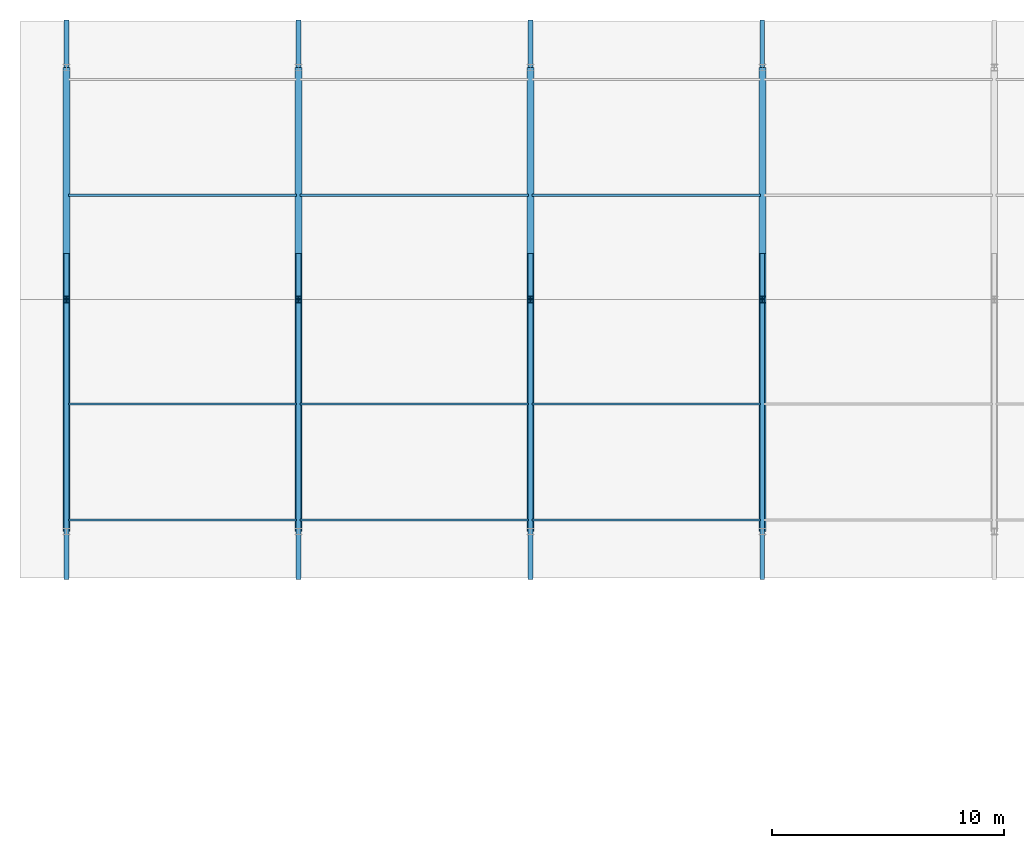
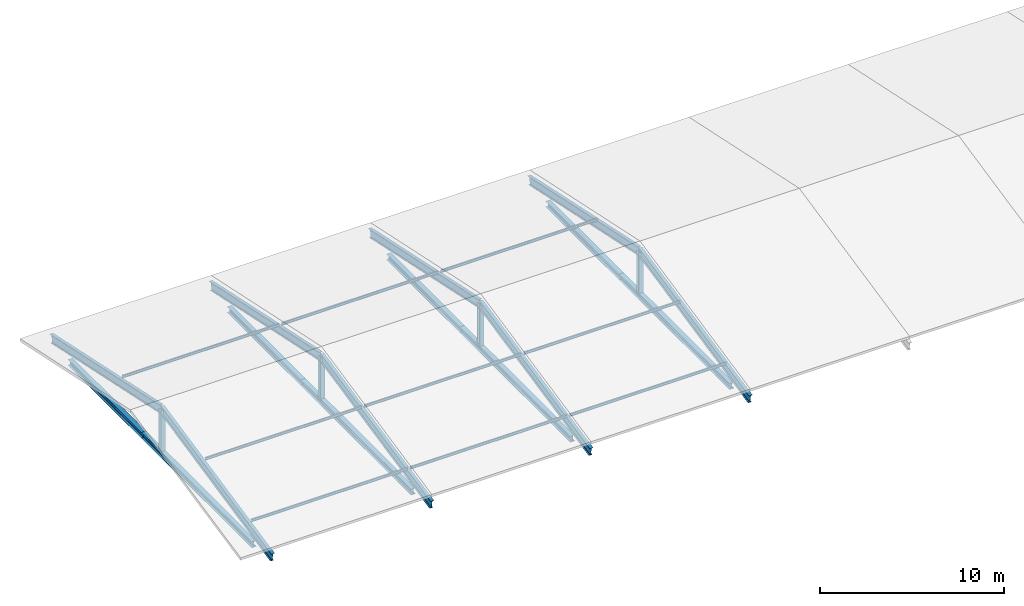
# One storey, part 1 of 10: 16 beams, 13 members.
"""IFC4 building model written with IfcOpenShell, lengths in metres."""

from ifc_helpers import new_model, si_unit, direction, frame, origin, origin_2d, place, context, subcontext, project, spatial, i_section, extrude, material, material_profile, profile_set, type_object, element, save


model = new_model("IFC4")

# Units and contexts
model_context = context("Model", 3, precision=1e-05, world=origin(), true_north=direction((0.0, 1.0)))
body_context = subcontext(model_context, "Body", "Model", "MODEL_VIEW")
ifc_project = project(units=[si_unit("LENGTHUNIT", "METRE"), si_unit("AREAUNIT", "SQUARE_METRE"), si_unit("VOLUMEUNIT", "CUBIC_METRE"), si_unit("PLANEANGLEUNIT", "RADIAN"), si_unit("MASSUNIT", "GRAM", prefix="KILO")], contexts=[model_context])

# Site, building, storey
site_placement = place(None, origin())
site = spatial("IfcSite", under=ifc_project, at=site_placement, CompositionType="ELEMENT")
building_placement = place(site_placement, origin())
building = spatial("IfcBuilding", under=site, at=building_placement, Name="Kivolera Central Railway Station", CompositionType="ELEMENT")
storey_placement = place(building_placement, frame((0.0, 0.0, 31.199951171875)))
storey = spatial("IfcBuildingStorey", under=building, at=storey_placement, Name="Roof", CompositionType="ELEMENT", Elevation=31.199951171875)

# Beams
ifc_material = material(Name="Steel S355", Category="steel")
ifc_material_profile_1 = material_profile(ifc_material, i_section(OverallWidth=0.2099609375, OverallDepth=0.550048828125, WebThickness=0.010986328125, FlangeThickness=0.01708984375, FilletRadius=0.02392578125, at=origin_2d()), Name="IPE 550")
ifc_profile_set_1 = profile_set([ifc_material_profile_1], Name="Steel S355")
beam_type_1 = type_object("IfcBeamType", Name="BM-ROOF-WNG", PredefinedType="BEAM", material=ifc_profile_set_1)
for number, where, z_axis, x_axis, name in (
    (1, (118.0, 112.0, 0.43798828125), (0.0, 0.97814185396, 0.207938725424), (-1.0, 0.0, 0.0), "Wing Monsoon Roof South Rafter 1"),
    (2, (118.0, 124.0, 2.989013671875), (0.0, 0.97814185396, -0.207938725424), (-1.0, 0.0, 0.0), "Wing Monsoon Roof North Rafter 1"),
    (3, (128.0, 112.0, 0.43798828125), (0.0, 0.97814185396, 0.207938725424), (-1.0, 0.0, 0.0), "Wing Monsoon Roof South Rafter 2"),
    (4, (128.0, 124.0, 2.989013671875), (0.0, 0.97814185396, -0.207938725424), (-1.0, 0.0, 0.0), "Wing Monsoon Roof North Rafter 2"),
    (5, (138.0, 112.0, 0.43798828125), (0.0, 0.97814185396, 0.207938725424), (-1.0, 0.0, 0.0), "Wing Monsoon Roof South Rafter 3"),
    (6, (138.0, 124.0, 2.989013671875), (0.0, 0.97814185396, -0.207938725424), (-1.0, 0.0, 0.0), "Wing Monsoon Roof North Rafter 3"),
    (7, (148.0, 112.0, 0.43798828125), (0.0, 0.97814185396, 0.207938725424), (-1.0, 0.0, 0.0), "Wing Monsoon Roof South Rafter 4"),
    (8, (148.0, 124.0, 2.989013671875), (0.0, 0.97814185396, -0.207938725424), (-1.0, 0.0, 0.0), "Wing Monsoon Roof North Rafter 4"),
):
    element("IfcBeam", number, at=place(storey_placement, frame(where, z_axis=z_axis, x_axis=x_axis)), inside=storey, type_object=beam_type_1, Name=name, PredefinedType="BEAM", context=body_context, shape_type="SweptSolid", body=[
        extrude(i_section(OverallWidth=0.2099609375, OverallDepth=0.550048828125, WebThickness=0.010986328125, FlangeThickness=0.01708984375, FilletRadius=0.02392578125, at=origin_2d()), origin(), (0.0, 0.0, 1.0), 12.26806640625),
    ])
ifc_material_profile_2 = material_profile(ifc_material, i_section(OverallWidth=0.300048828125, OverallDepth=0.389892578125, WebThickness=0.010986328125, FlangeThickness=0.01904296875, FilletRadius=0.027099609375, at=origin_2d()), Name="HEA 400")
ifc_profile_set_2 = profile_set([ifc_material_profile_2], Name="Steel S355")
beam_type_2 = type_object("IfcBeamType", Name="BM-SHD-HEA400", PredefinedType="BEAM", material=ifc_profile_set_2)
beam_1_placement = place(storey_placement, frame((118.0, 114.0, 0.090087890625), z_axis=(0.0, 1.0, 0.0), x_axis=(-1.0, 0.0, 0.0)))
element("IfcBeam", 9, at=beam_1_placement, inside=storey, type_object=beam_type_2, Name="Wing Monsoon Roof Tie Beam South 1", PredefinedType="BEAM", context=body_context, shape_type="SweptSolid", body=[
    extrude(i_section(OverallWidth=0.300048828125, OverallDepth=0.389892578125, WebThickness=0.010986328125, FlangeThickness=0.01904296875, FilletRadius=0.027099609375, at=origin_2d()), origin(), (0.0, 0.0, 1.0), 12.0),
])
beam_2_placement = place(storey_placement, frame((118.0, 126.0, 0.090087890625), z_axis=(0.0, 1.0, 0.0), x_axis=(-1.0, 0.0, 0.0)))
element("IfcBeam", 10, at=beam_2_placement, inside=storey, type_object=beam_type_2, Name="Wing Monsoon Roof Tie Beam North 1", PredefinedType="BEAM", context=body_context, shape_type="SweptSolid", body=[
    extrude(i_section(OverallWidth=0.300048828125, OverallDepth=0.389892578125, WebThickness=0.010986328125, FlangeThickness=0.01904296875, FilletRadius=0.027099609375, at=origin_2d()), origin(), (0.0, 0.0, 1.0), 8.0),
])
beam_3_placement = place(storey_placement, frame((128.0, 114.0, 0.090087890625), z_axis=(0.0, 1.0, 0.0), x_axis=(-1.0, 0.0, 0.0)))
element("IfcBeam", 11, at=beam_3_placement, inside=storey, type_object=beam_type_2, Name="Wing Monsoon Roof Tie Beam South 2", PredefinedType="BEAM", context=body_context, shape_type="SweptSolid", body=[
    extrude(i_section(OverallWidth=0.300048828125, OverallDepth=0.389892578125, WebThickness=0.010986328125, FlangeThickness=0.01904296875, FilletRadius=0.027099609375, at=origin_2d()), origin(), (0.0, 0.0, 1.0), 12.0),
])
beam_4_placement = place(storey_placement, frame((128.0, 126.0, 0.090087890625), z_axis=(0.0, 1.0, 0.0), x_axis=(-1.0, 0.0, 0.0)))
element("IfcBeam", 12, at=beam_4_placement, inside=storey, type_object=beam_type_2, Name="Wing Monsoon Roof Tie Beam North 2", PredefinedType="BEAM", context=body_context, shape_type="SweptSolid", body=[
    extrude(i_section(OverallWidth=0.300048828125, OverallDepth=0.389892578125, WebThickness=0.010986328125, FlangeThickness=0.01904296875, FilletRadius=0.027099609375, at=origin_2d()), origin(), (0.0, 0.0, 1.0), 8.0),
])
beam_5_placement = place(storey_placement, frame((138.0, 114.0, 0.090087890625), z_axis=(0.0, 1.0, 0.0), x_axis=(-1.0, 0.0, 0.0)))
element("IfcBeam", 13, at=beam_5_placement, inside=storey, type_object=beam_type_2, Name="Wing Monsoon Roof Tie Beam South 3", PredefinedType="BEAM", context=body_context, shape_type="SweptSolid", body=[
    extrude(i_section(OverallWidth=0.300048828125, OverallDepth=0.389892578125, WebThickness=0.010986328125, FlangeThickness=0.01904296875, FilletRadius=0.027099609375, at=origin_2d()), origin(), (0.0, 0.0, 1.0), 12.0),
])
beam_6_placement = place(storey_placement, frame((138.0, 126.0, 0.090087890625), z_axis=(0.0, 1.0, 0.0), x_axis=(-1.0, 0.0, 0.0)))
element("IfcBeam", 14, at=beam_6_placement, inside=storey, type_object=beam_type_2, Name="Wing Monsoon Roof Tie Beam North 3", PredefinedType="BEAM", context=body_context, shape_type="SweptSolid", body=[
    extrude(i_section(OverallWidth=0.300048828125, OverallDepth=0.389892578125, WebThickness=0.010986328125, FlangeThickness=0.01904296875, FilletRadius=0.027099609375, at=origin_2d()), origin(), (0.0, 0.0, 1.0), 8.0),
])
beam_7_placement = place(storey_placement, frame((148.0, 114.0, 0.090087890625), z_axis=(0.0, 1.0, 0.0), x_axis=(-1.0, 0.0, 0.0)))
element("IfcBeam", 15, at=beam_7_placement, inside=storey, type_object=beam_type_2, Name="Wing Monsoon Roof Tie Beam South 4", PredefinedType="BEAM", context=body_context, shape_type="SweptSolid", body=[
    extrude(i_section(OverallWidth=0.300048828125, OverallDepth=0.389892578125, WebThickness=0.010986328125, FlangeThickness=0.01904296875, FilletRadius=0.027099609375, at=origin_2d()), origin(), (0.0, 0.0, 1.0), 12.0),
])
beam_8_placement = place(storey_placement, frame((148.0, 126.0, 0.090087890625), z_axis=(0.0, 1.0, 0.0), x_axis=(-1.0, 0.0, 0.0)))
element("IfcBeam", 16, at=beam_8_placement, inside=storey, type_object=beam_type_2, Name="Wing Monsoon Roof Tie Beam North 4", PredefinedType="BEAM", context=body_context, shape_type="SweptSolid", body=[
    extrude(i_section(OverallWidth=0.300048828125, OverallDepth=0.389892578125, WebThickness=0.010986328125, FlangeThickness=0.01904296875, FilletRadius=0.027099609375, at=origin_2d()), origin(), (0.0, 0.0, 1.0), 8.0),
])

# Members
ifc_material_profile_3 = material_profile(ifc_material, i_section(OverallWidth=0.091064453125, OverallDepth=0.179931640625, WebThickness=0.00537109375, FlangeThickness=0.008056640625, FilletRadius=0.009033203125, at=origin_2d()), Name="IPE 180")
ifc_profile_set_3 = profile_set([ifc_material_profile_3], Name="Steel S355")
member_type_1 = type_object("IfcMemberType", Name="MEM-PUR-IPE180", PredefinedType="PURLIN", material=ifc_profile_set_3)
for number, where, z_axis, x_axis, name in (
    (17, (118.080078125, 114.5, 1.325927734375), (1.0, 0.0, 0.0), (0.0, 1.0, 0.0), "Wing Monsoon Roof Purlin 1.1"),
    (18, (118.080078125, 119.5, 2.38916015625), (1.0, 0.0, 0.0), (0.0, 1.0, 0.0), "Wing Monsoon Roof Purlin 1.2"),
    (19, (118.080078125, 128.5, 2.38916015625), (1.0, 0.0, 0.0), (0.0, 1.0, 0.0), "Wing Monsoon Roof Purlin 1.3"),
    (20, (128.080078125, 114.5, 1.325927734375), (1.0, 0.0, 0.0), (0.0, 1.0, 0.0), "Wing Monsoon Roof Purlin 2.1"),
    (21, (128.080078125, 119.5, 2.38916015625), (1.0, 0.0, 0.0), (0.0, 1.0, 0.0), "Wing Monsoon Roof Purlin 2.2"),
    (22, (128.080078125, 128.5, 2.38916015625), (1.0, 0.0, 0.0), (0.0, 1.0, 0.0), "Wing Monsoon Roof Purlin 2.3"),
    (23, (138.080078125, 114.5, 1.325927734375), (1.0, 0.0, 0.0), (0.0, 1.0, 0.0), "Wing Monsoon Roof Purlin 3.1"),
    (24, (138.080078125, 119.5, 2.38916015625), (1.0, 0.0, 0.0), (0.0, 1.0, 0.0), "Wing Monsoon Roof Purlin 3.2"),
    (25, (138.080078125, 128.5, 2.38916015625), (1.0, 0.0, 0.0), (0.0, 1.0, 0.0), "Wing Monsoon Roof Purlin 3.3"),
):
    element("IfcMember", number, at=place(storey_placement, frame(where, z_axis=z_axis, x_axis=x_axis)), inside=storey, type_object=member_type_1, Name=name, PredefinedType="PURLIN", context=body_context, shape_type="SweptSolid", body=[
        extrude(i_section(OverallWidth=0.091064453125, OverallDepth=0.179931640625, WebThickness=0.00537109375, FlangeThickness=0.008056640625, FilletRadius=0.009033203125, at=origin_2d()), origin(), (0.0, 0.0, 1.0), 9.83984375),
    ])
ifc_material_profile_4 = material_profile(ifc_material, i_section(OverallWidth=0.280029296875, OverallDepth=0.280029296875, WebThickness=0.010498046875, FlangeThickness=0.01806640625, FilletRadius=0.02392578125, at=origin_2d()), Name="HEB 280")
ifc_profile_set_4 = profile_set([ifc_material_profile_4], Name="Steel S355")
member_type_2 = type_object("IfcMemberType", Name="MEM-RAF-HEB280", PredefinedType="STRUT", material=ifc_profile_set_4)
for number, where, z_axis, x_axis, name in (
    (26, (118.0, 124.0, 0.090087890625), (0.0, 0.0, 1.0), (1.0, 0.0, 0.0), "Roof Monsoon Truss Post 1-R"),
    (27, (128.0, 124.0, 0.090087890625), (0.0, 0.0, 1.0), (1.0, 0.0, 0.0), "Roof Monsoon Truss Post 2-R"),
    (28, (138.0, 124.0, 0.090087890625), (0.0, 0.0, 1.0), (1.0, 0.0, 0.0), "Roof Monsoon Truss Post 3-R"),
    (29, (148.0, 124.0, 0.090087890625), (0.0, 0.0, 1.0), (1.0, 0.0, 0.0), "Roof Monsoon Truss Post 4-R"),
):
    element("IfcMember", number, at=place(storey_placement, frame(where, z_axis=z_axis, x_axis=x_axis)), inside=storey, type_object=member_type_2, Name=name, PredefinedType="STRUT", context=body_context, shape_type="SweptSolid", body=[
        extrude(i_section(OverallWidth=0.280029296875, OverallDepth=0.280029296875, WebThickness=0.010498046875, FlangeThickness=0.01806640625, FilletRadius=0.02392578125, at=origin_2d()), origin(), (0.0, 0.0, 1.0), 2.909912109375),
    ])

save(model, "model.ifc")
